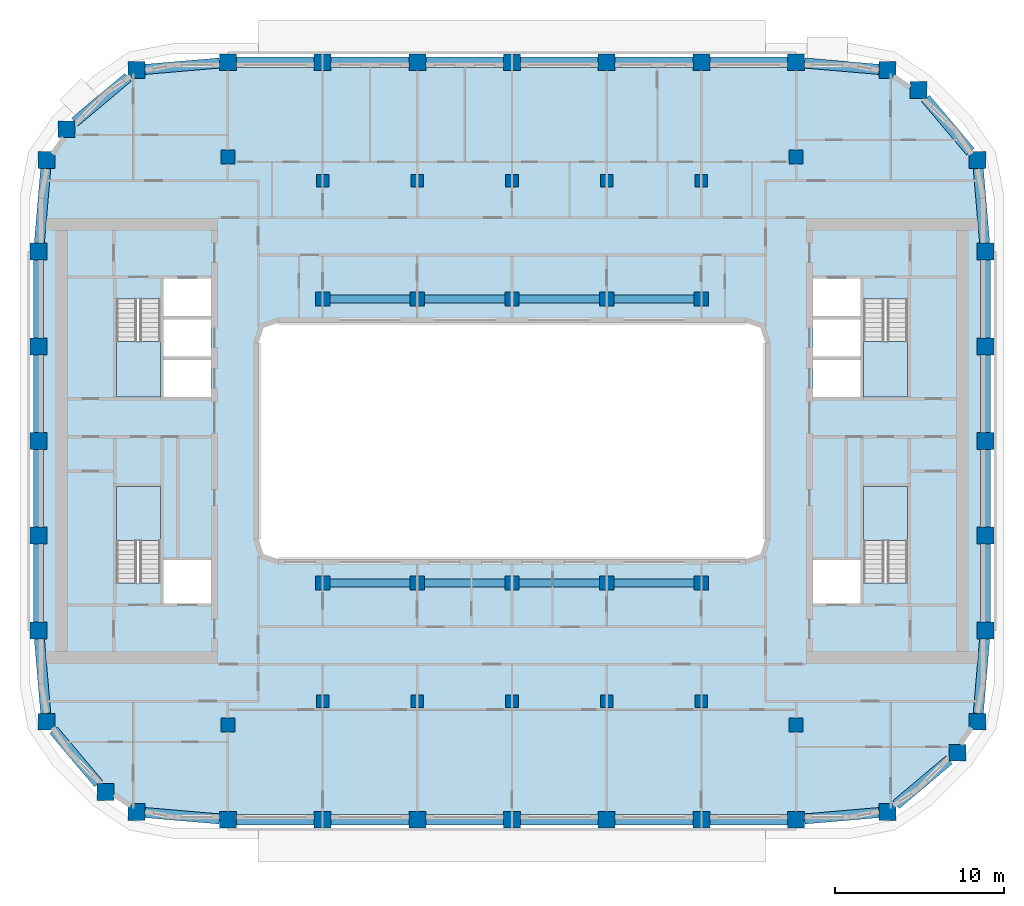
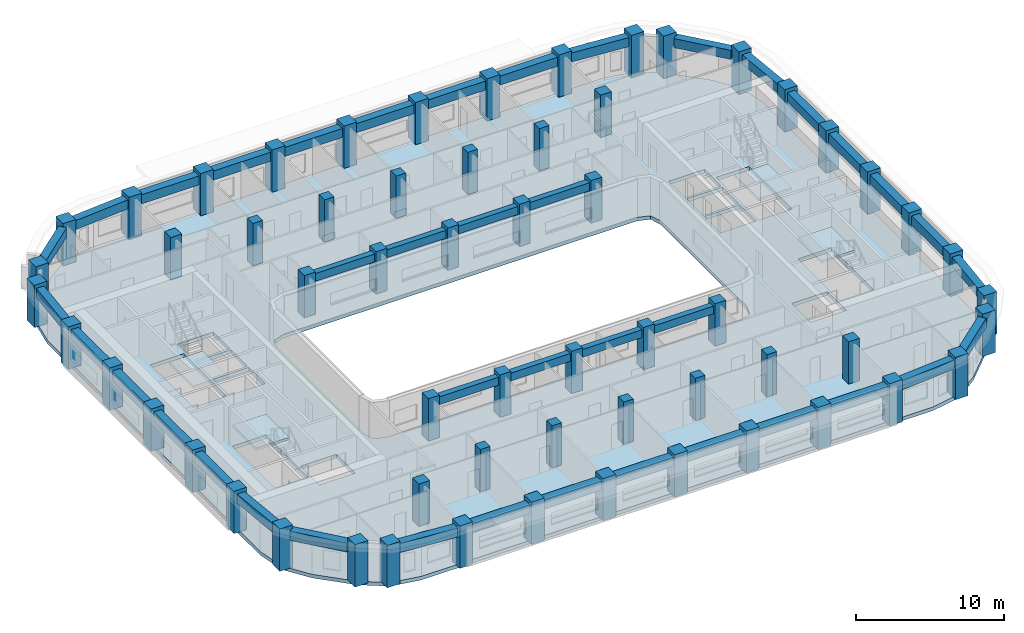
# One storey, part 1 of 22: 60 columns, 40 beams, 5 slabs, 4 elements without a shape of their own.
"""IFC4 building model written with IfcOpenShell, lengths in metres."""

from ifc_helpers import new_model, si_unit, direction, frame, origin, origin_2d, place, context, subcontext, project, spatial, polyline, rectangle, outline, extrude, material, layer, layer_set, material_profile, profile_set, type_object, element, aggregate, save


model = new_model("IFC4")

# Units and contexts
model_context = context("Model", 3, precision=1e-05, world=origin(), true_north=direction((0.0, 1.0)))
body_context = subcontext(model_context, "Body", "Model", "MODEL_VIEW")
ifc_project = project(units=[si_unit("LENGTHUNIT", "METRE"), si_unit("AREAUNIT", "SQUARE_METRE"), si_unit("VOLUMEUNIT", "CUBIC_METRE"), si_unit("PLANEANGLEUNIT", "RADIAN"), si_unit("MASSUNIT", "GRAM", prefix="KILO")], contexts=[model_context])

# Site, building, storey
site_placement = place(None, origin())
site = spatial("IfcSite", under=ifc_project, at=site_placement, CompositionType="ELEMENT")
building_placement = place(site_placement, origin())
building = spatial("IfcBuilding", under=site, at=building_placement, Name="Kiln Ring Residences", CompositionType="ELEMENT")
storey_placement = place(building_placement, frame((0.0, 0.0, 167.60009765625)))
storey = spatial("IfcBuildingStorey", under=building, at=storey_placement, Name="L43", CompositionType="ELEMENT", Elevation=167.60009765625)

# Columns
ifc_material_1 = material(Name="Concrete C70/85", Category="concrete")
ifc_material_profile_1 = material_profile(ifc_material_1, rectangle(XDim=0.75, YDim=0.75, at=origin_2d()), Name="RC750x750")
ifc_profile_set_1 = profile_set([ifc_material_profile_1], Name="Concrete C70/85")
column_type_1 = type_object("IfcColumnType", Name="Corridor column RC750x750 C70/85", PredefinedType="COLUMN", material=ifc_profile_set_1)
for number, where, z_axis, x_axis, name in (
    (1, (-11.199951171875, 15.39990234375, 0.0), (0.0, 0.0, 1.0), (1.0, 0.0, 0.0), "Corridor column L43 1"),
    (2, (-5.60009765625, 15.39990234375, 0.0), (0.0, 0.0, 1.0), (1.0, 0.0, 0.0), "Corridor column L43 2"),
    (3, (0.0, 15.39990234375, 0.0), (0.0, 0.0, 1.0), (1.0, 0.0, 0.0), "Corridor column L43 3"),
    (4, (5.60009765625, 15.39990234375, 0.0), (0.0, 0.0, 1.0), (1.0, 0.0, 0.0), "Corridor column L43 4"),
    (5, (11.199951171875, 15.39990234375, 0.0), (0.0, 0.0, 1.0), (1.0, 0.0, 0.0), "Corridor column L43 5"),
    (6, (-11.199951171875, -15.39990234375, 0.0), (0.0, 0.0, 1.0), (1.0, 0.0, 0.0), "Corridor column L43 6"),
    (7, (-5.60009765625, -15.39990234375, 0.0), (0.0, 0.0, 1.0), (1.0, 0.0, 0.0), "Corridor column L43 7"),
    (8, (0.0, -15.39990234375, 0.0), (0.0, 0.0, 1.0), (1.0, 0.0, 0.0), "Corridor column L43 8"),
    (9, (5.60009765625, -15.39990234375, 0.0), (0.0, 0.0, 1.0), (1.0, 0.0, 0.0), "Corridor column L43 9"),
    (10, (11.199951171875, -15.39990234375, 0.0), (0.0, 0.0, 1.0), (1.0, 0.0, 0.0), "Corridor column L43 10"),
):
    element("IfcColumn", number, at=place(storey_placement, frame(where, z_axis=z_axis, x_axis=x_axis)), inside=storey, type_object=column_type_1, Name=name, PredefinedType="COLUMN", context=body_context, shape_type="SweptSolid", body=[
        extrude(rectangle(XDim=0.75, YDim=0.75, at=origin_2d()), origin(), (0.0, 0.0, 1.0), 3.5),
    ])
ifc_material_2 = material(Name="Concrete C70/85", Category="concrete")
ifc_material_profile_2 = material_profile(ifc_material_2, rectangle(XDim=1.0, YDim=1.0, at=origin_2d()), Name="RC1000x1000")
ifc_profile_set_2 = profile_set([ifc_material_profile_2], Name="Concrete C70/85")
column_type_2 = type_object("IfcColumnType", Name="Perimeter column RC1000x1000 C70/85", PredefinedType="COLUMN", material=ifc_profile_set_2)
for number, where, z_axis, x_axis, name in (
    (11, (-22.208740234375, -21.93798828125, 0.0), (0.0, 0.0, 1.0), (1.0, 0.0, 0.0), "Perimeter column L43 1"),
    (12, (-16.800048828125, -22.39990234375, 0.0), (0.0, 0.0, 1.0), (1.0, 0.0, 0.0), "Perimeter column L43 2"),
    (13, (-11.199951171875, -22.39990234375, 0.0), (0.0, 0.0, 1.0), (1.0, 0.0, 0.0), "Perimeter column L43 3"),
    (14, (-5.60009765625, -22.39990234375, 0.0), (0.0, 0.0, 1.0), (1.0, 0.0, 0.0), "Perimeter column L43 4"),
    (15, (0.0, -22.39990234375, 0.0), (0.0, 0.0, 1.0), (1.0, 0.0, 0.0), "Perimeter column L43 5"),
    (16, (5.60009765625, -22.39990234375, 0.0), (0.0, 0.0, 1.0), (1.0, 0.0, 0.0), "Perimeter column L43 6"),
    (17, (11.199951171875, -22.39990234375, 0.0), (0.0, 0.0, 1.0), (1.0, 0.0, 0.0), "Perimeter column L43 7"),
    (18, (16.800048828125, -22.39990234375, 0.0), (0.0, 0.0, 1.0), (1.0, 0.0, 0.0), "Perimeter column L43 8"),
    (19, (22.208740234375, -21.93798828125, 0.0), (0.0, 0.0, 1.0), (1.0, 0.0, 0.0), "Perimeter column L43 9"),
    (20, (26.35986328125, -18.440185546875, 0.0), (0.0, 0.0, 1.0), (1.0, 0.0, 0.0), "Perimeter column L43 10"),
    (21, (27.5380859375, -16.608642578125, 0.0), (0.0, 0.0, 1.0), (1.0, 0.0, 0.0), "Perimeter column L43 11"),
    (22, (28.0, -11.199951171875, 0.0), (0.0, 0.0, 1.0), (1.0, 0.0, 0.0), "Perimeter column L43 12"),
    (23, (28.0, -5.60009765625, 0.0), (0.0, 0.0, 1.0), (1.0, 0.0, 0.0), "Perimeter column L43 13"),
    (24, (28.0, 0.0, 0.0), (0.0, 0.0, 1.0), (1.0, 0.0, 0.0), "Perimeter column L43 14"),
    (25, (28.0, 5.60009765625, 0.0), (0.0, 0.0, 1.0), (1.0, 0.0, 0.0), "Perimeter column L43 15"),
    (26, (28.0, 11.199951171875, 0.0), (0.0, 0.0, 1.0), (1.0, 0.0, 0.0), "Perimeter column L43 16"),
    (27, (27.5380859375, 16.608642578125, 0.0), (0.0, 0.0, 1.0), (1.0, 0.0, 0.0), "Perimeter column L43 17"),
    (28, (24.040283203125, 20.759765625, 0.0), (0.0, 0.0, 1.0), (1.0, 0.0, 0.0), "Perimeter column L43 18"),
    (29, (22.208740234375, 21.93798828125, 0.0), (0.0, 0.0, 1.0), (1.0, 0.0, 0.0), "Perimeter column L43 19"),
    (30, (16.800048828125, 22.39990234375, 0.0), (0.0, 0.0, 1.0), (1.0, 0.0, 0.0), "Perimeter column L43 20"),
    (31, (11.199951171875, 22.39990234375, 0.0), (0.0, 0.0, 1.0), (1.0, 0.0, 0.0), "Perimeter column L43 21"),
    (32, (5.60009765625, 22.39990234375, 0.0), (0.0, 0.0, 1.0), (1.0, 0.0, 0.0), "Perimeter column L43 22"),
    (33, (0.0, 22.39990234375, 0.0), (0.0, 0.0, 1.0), (1.0, 0.0, 0.0), "Perimeter column L43 23"),
    (34, (-5.60009765625, 22.39990234375, 0.0), (0.0, 0.0, 1.0), (1.0, 0.0, 0.0), "Perimeter column L43 24"),
    (35, (-11.199951171875, 22.39990234375, 0.0), (0.0, 0.0, 1.0), (1.0, 0.0, 0.0), "Perimeter column L43 25"),
    (36, (-16.800048828125, 22.39990234375, 0.0), (0.0, 0.0, 1.0), (1.0, 0.0, 0.0), "Perimeter column L43 26"),
    (37, (-22.208740234375, 21.93798828125, 0.0), (0.0, 0.0, 1.0), (1.0, 0.0, 0.0), "Perimeter column L43 27"),
    (38, (-26.35986328125, 18.440185546875, 0.0), (0.0, 0.0, 1.0), (1.0, 0.0, 0.0), "Perimeter column L43 28"),
    (39, (-27.5380859375, 16.608642578125, 0.0), (0.0, 0.0, 1.0), (1.0, 0.0, 0.0), "Perimeter column L43 29"),
    (40, (-28.0, 11.199951171875, 0.0), (0.0, 0.0, 1.0), (1.0, 0.0, 0.0), "Perimeter column L43 30"),
    (41, (-28.0, 5.60009765625, 0.0), (0.0, 0.0, 1.0), (1.0, 0.0, 0.0), "Perimeter column L43 31"),
    (42, (-28.0, 0.0, 0.0), (0.0, 0.0, 1.0), (1.0, 0.0, 0.0), "Perimeter column L43 32"),
    (43, (-28.0, -5.60009765625, 0.0), (0.0, 0.0, 1.0), (1.0, 0.0, 0.0), "Perimeter column L43 33"),
    (44, (-28.0, -11.199951171875, 0.0), (0.0, 0.0, 1.0), (1.0, 0.0, 0.0), "Perimeter column L43 34"),
    (45, (-27.5380859375, -16.608642578125, 0.0), (0.0, 0.0, 1.0), (1.0, 0.0, 0.0), "Perimeter column L43 35"),
    (46, (-24.040283203125, -20.759765625, 0.0), (0.0, 0.0, 1.0), (1.0, 0.0, 0.0), "Perimeter column L43 36"),
):
    element("IfcColumn", number, at=place(storey_placement, frame(where, z_axis=z_axis, x_axis=x_axis)), inside=storey, type_object=column_type_2, Name=name, PredefinedType="COLUMN", context=body_context, shape_type="SweptSolid", body=[
        extrude(rectangle(XDim=1.0, YDim=1.0, at=origin_2d()), origin(), (0.0, 0.0, 1.0), 3.5),
    ])
ifc_material_3 = material(Name="Concrete C70/85", Category="concrete")
ifc_material_profile_3 = material_profile(ifc_material_3, rectangle(XDim=0.85009765625, YDim=0.85009765625, at=origin_2d()), Name="RC850x850")
ifc_profile_set_3 = profile_set([ifc_material_profile_3], Name="Concrete C70/85")
column_type_3 = type_object("IfcColumnType", Name="Ring column RC850x850 C70/85", PredefinedType="COLUMN", material=ifc_profile_set_3)
for number, where, z_axis, x_axis, name in (
    (47, (-16.800048828125, -16.800048828125, 0.0), (0.0, 0.0, 1.0), (1.0, 0.0, 0.0), "Ring column L43 1"),
    (48, (-16.800048828125, 16.800048828125, 0.0), (0.0, 0.0, 1.0), (1.0, 0.0, 0.0), "Ring column L43 2"),
    (49, (-11.199951171875, -8.39990234375, 0.0), (0.0, 0.0, 1.0), (1.0, 0.0, 0.0), "Ring column L43 3"),
    (50, (-11.199951171875, 8.39990234375, 0.0), (0.0, 0.0, 1.0), (1.0, 0.0, 0.0), "Ring column L43 4"),
    (51, (-5.60009765625, -8.39990234375, 0.0), (0.0, 0.0, 1.0), (1.0, 0.0, 0.0), "Ring column L43 5"),
    (52, (-5.60009765625, 8.39990234375, 0.0), (0.0, 0.0, 1.0), (1.0, 0.0, 0.0), "Ring column L43 6"),
    (53, (0.0, -8.39990234375, 0.0), (0.0, 0.0, 1.0), (1.0, 0.0, 0.0), "Ring column L43 7"),
    (54, (0.0, 8.39990234375, 0.0), (0.0, 0.0, 1.0), (1.0, 0.0, 0.0), "Ring column L43 8"),
    (55, (5.60009765625, -8.39990234375, 0.0), (0.0, 0.0, 1.0), (1.0, 0.0, 0.0), "Ring column L43 9"),
    (56, (5.60009765625, 8.39990234375, 0.0), (0.0, 0.0, 1.0), (1.0, 0.0, 0.0), "Ring column L43 10"),
    (57, (11.199951171875, -8.39990234375, 0.0), (0.0, 0.0, 1.0), (1.0, 0.0, 0.0), "Ring column L43 11"),
    (58, (11.199951171875, 8.39990234375, 0.0), (0.0, 0.0, 1.0), (1.0, 0.0, 0.0), "Ring column L43 12"),
    (59, (16.800048828125, -16.800048828125, 0.0), (0.0, 0.0, 1.0), (1.0, 0.0, 0.0), "Ring column L43 13"),
    (60, (16.800048828125, 16.800048828125, 0.0), (0.0, 0.0, 1.0), (1.0, 0.0, 0.0), "Ring column L43 14"),
):
    element("IfcColumn", number, at=place(storey_placement, frame(where, z_axis=z_axis, x_axis=x_axis)), inside=storey, type_object=column_type_3, Name=name, PredefinedType="COLUMN", context=body_context, shape_type="SweptSolid", body=[
        extrude(rectangle(XDim=0.85009765625, YDim=0.85009765625, at=origin_2d()), origin(), (0.0, 0.0, 1.0), 3.5),
    ])

# Beams
ifc_material_4 = material(Name="Concrete C50/60", Category="concrete")
ifc_material_profile_4 = material_profile(ifc_material_4, rectangle(XDim=0.449951171875, YDim=0.64990234375, at=origin_2d()), Name="RC450x650")
ifc_profile_set_4 = profile_set([ifc_material_profile_4], Name="Concrete C50/60")
beam_type_1 = type_object("IfcBeamType", Name="Ring beam RC450x650 C50/60", PredefinedType="BEAM", material=ifc_profile_set_4)
for number, where, z_axis, x_axis, name in (
    (61, (-10.77490234375, -8.39990234375, 2.875), (1.0, 0.0, 0.0), (0.0, 1.0, 0.0), "Ring beam L43 1"),
    (62, (-5.175048828125, -8.39990234375, 2.875), (1.0, 0.0, 0.0), (0.0, 1.0, 0.0), "Ring beam L43 2"),
    (63, (0.425048828125, -8.39990234375, 2.875), (1.0, 0.0, 0.0), (0.0, 1.0, 0.0), "Ring beam L43 3"),
    (64, (6.02490234375, -8.39990234375, 2.875), (1.0, 0.0, 0.0), (0.0, 1.0, 0.0), "Ring beam L43 4"),
    (65, (-10.77490234375, 8.39990234375, 2.875), (1.0, 0.0, 0.0), (0.0, 1.0, 0.0), "Ring beam L43 5"),
    (66, (-5.175048828125, 8.39990234375, 2.875), (1.0, 0.0, 0.0), (0.0, 1.0, 0.0), "Ring beam L43 6"),
    (67, (0.425048828125, 8.39990234375, 2.875), (1.0, 0.0, 0.0), (0.0, 1.0, 0.0), "Ring beam L43 7"),
    (68, (6.02490234375, 8.39990234375, 2.875), (1.0, 0.0, 0.0), (0.0, 1.0, 0.0), "Ring beam L43 8"),
):
    element("IfcBeam", number, at=place(storey_placement, frame(where, z_axis=z_axis, x_axis=x_axis)), inside=storey, type_object=beam_type_1, Name=name, PredefinedType="BEAM", context=body_context, shape_type="SweptSolid", body=[
        extrude(rectangle(XDim=0.449951171875, YDim=0.64990234375, at=origin_2d()), origin(), (0.0, 0.0, 1.0), 4.75),
    ])
ifc_material_5 = material(Name="Concrete C50/60", Category="concrete")
ifc_material_profile_5 = material_profile(ifc_material_5, rectangle(XDim=0.60009765625, YDim=0.75, at=origin_2d()), Name="RC600x750")
ifc_profile_set_5 = profile_set([ifc_material_profile_5], Name="Concrete C50/60")
beam_type_2 = type_object("IfcBeamType", Name="Spandrel beam RC600x750 C50/60", PredefinedType="SPANDREL", material=ifc_profile_set_5)
beam_1_placement = place(storey_placement, frame((-21.708740234375, -21.980712890625, 2.824951171875), z_axis=(0.996369283519, -0.0851366599, 0.0), x_axis=(0.0851366599, 0.996369283519, 0.0)))
element("IfcBeam", 69, at=beam_1_placement, inside=storey, type_object=beam_type_2, Name="Spandrel beam L43 1", PredefinedType="SPANDREL", context=body_context, shape_type="SweptSolid", body=[
    extrude(rectangle(XDim=0.60009765625, YDim=0.75, at=origin_2d()), origin(), (0.0, 0.0, 1.0), 4.4248046875),
])
beam_2_placement = place(storey_placement, frame((-16.300048828125, -22.39990234375, 2.824951171875), z_axis=(1.0, 0.0, 0.0), x_axis=(0.0, 1.0, 0.0)))
element("IfcBeam", 70, at=beam_2_placement, inside=storey, type_object=beam_type_2, Name="Spandrel beam L43 2", PredefinedType="SPANDREL", context=body_context, shape_type="SweptSolid", body=[
    extrude(rectangle(XDim=0.60009765625, YDim=0.75, at=origin_2d()), origin(), (0.0, 0.0, 1.0), 4.60009765625),
])
beam_3_placement = place(storey_placement, frame((-10.699951171875, -22.39990234375, 2.824951171875), z_axis=(1.0, 0.0, 0.0), x_axis=(0.0, 1.0, 0.0)))
element("IfcBeam", 71, at=beam_3_placement, inside=storey, type_object=beam_type_2, Name="Spandrel beam L43 3", PredefinedType="SPANDREL", context=body_context, shape_type="SweptSolid", body=[
    extrude(rectangle(XDim=0.60009765625, YDim=0.75, at=origin_2d()), origin(), (0.0, 0.0, 1.0), 4.599853515625),
])
for number, where, z_axis, x_axis, name in (
    (72, (-5.10009765625, -22.39990234375, 2.824951171875), (1.0, 0.0, 0.0), (0.0, 1.0, 0.0), "Spandrel beam L43 4"),
    (73, (0.5, -22.39990234375, 2.824951171875), (1.0, 0.0, 0.0), (0.0, 1.0, 0.0), "Spandrel beam L43 5"),
):
    element("IfcBeam", number, at=place(storey_placement, frame(where, z_axis=z_axis, x_axis=x_axis)), inside=storey, type_object=beam_type_2, Name=name, PredefinedType="SPANDREL", context=body_context, shape_type="SweptSolid", body=[
        extrude(rectangle(XDim=0.60009765625, YDim=0.75, at=origin_2d()), origin(), (0.0, 0.0, 1.0), 4.60009765625),
    ])
beam_4_placement = place(storey_placement, frame((6.10009765625, -22.39990234375, 2.824951171875), z_axis=(1.0, 0.0, 0.0), x_axis=(0.0, 1.0, 0.0)))
element("IfcBeam", 74, at=beam_4_placement, inside=storey, type_object=beam_type_2, Name="Spandrel beam L43 6", PredefinedType="SPANDREL", context=body_context, shape_type="SweptSolid", body=[
    extrude(rectangle(XDim=0.60009765625, YDim=0.75, at=origin_2d()), origin(), (0.0, 0.0, 1.0), 4.599853515625),
])
beam_5_placement = place(storey_placement, frame((11.699951171875, -22.39990234375, 2.824951171875), z_axis=(1.0, 0.0, 0.0), x_axis=(0.0, 1.0, 0.0)))
element("IfcBeam", 75, at=beam_5_placement, inside=storey, type_object=beam_type_2, Name="Spandrel beam L43 7", PredefinedType="SPANDREL", context=body_context, shape_type="SweptSolid", body=[
    extrude(rectangle(XDim=0.60009765625, YDim=0.75, at=origin_2d()), origin(), (0.0, 0.0, 1.0), 4.60009765625),
])
beam_6_placement = place(storey_placement, frame((17.300048828125, -22.357421875, 2.824951171875), z_axis=(0.996369283519, 0.0851366599, 0.0), x_axis=(-0.0851366599, 0.996369283519, 0.0)))
element("IfcBeam", 76, at=beam_6_placement, inside=storey, type_object=beam_type_2, Name="Spandrel beam L43 8", PredefinedType="SPANDREL", context=body_context, shape_type="SweptSolid", body=[
    extrude(rectangle(XDim=0.60009765625, YDim=0.75, at=origin_2d()), origin(), (0.0, 0.0, 1.0), 4.4248046875),
])
beam_7_placement = place(storey_placement, frame((22.708740234375, -21.516845703125, 2.824951171875), z_axis=(0.764708354916, 0.644376545136, 0.0), x_axis=(-0.644376545136, 0.764708354916, 0.0)))
element("IfcBeam", 77, at=beam_7_placement, inside=storey, type_object=beam_type_2, Name="Spandrel beam L43 9", PredefinedType="SPANDREL", context=body_context, shape_type="SweptSolid", body=[
    extrude(rectangle(XDim=0.60009765625, YDim=0.75, at=origin_2d()), origin(), (0.0, 0.0, 1.0), 4.12060546875),
])
beam_8_placement = place(storey_placement, frame((27.580810546875, -16.108642578125, 2.824951171875), z_axis=(0.085081883384, 0.996373962486, 0.0), x_axis=(-0.996373962486, 0.085081883384, 0.0)))
element("IfcBeam", 78, at=beam_8_placement, inside=storey, type_object=beam_type_2, Name="Spandrel beam L43 10", PredefinedType="SPANDREL", context=body_context, shape_type="SweptSolid", body=[
    extrude(rectangle(XDim=0.60009765625, YDim=0.75, at=origin_2d()), origin(), (0.0, 0.0, 1.0), 4.4248046875),
])
beam_9_placement = place(storey_placement, frame((28.0, -10.699951171875, 2.824951171875), z_axis=(0.0, 1.0, 0.0), x_axis=(-1.0, 0.0, 0.0)))
element("IfcBeam", 79, at=beam_9_placement, inside=storey, type_object=beam_type_2, Name="Spandrel beam L43 11", PredefinedType="SPANDREL", context=body_context, shape_type="SweptSolid", body=[
    extrude(rectangle(XDim=0.60009765625, YDim=0.75, at=origin_2d()), origin(), (0.0, 0.0, 1.0), 4.599853515625),
])
for number, where, z_axis, x_axis, name in (
    (80, (28.0, -5.10009765625, 2.824951171875), (0.0, 1.0, 0.0), (-1.0, 0.0, 0.0), "Spandrel beam L43 12"),
    (81, (28.0, 0.5, 2.824951171875), (0.0, 1.0, 0.0), (-1.0, 0.0, 0.0), "Spandrel beam L43 13"),
):
    element("IfcBeam", number, at=place(storey_placement, frame(where, z_axis=z_axis, x_axis=x_axis)), inside=storey, type_object=beam_type_2, Name=name, PredefinedType="SPANDREL", context=body_context, shape_type="SweptSolid", body=[
        extrude(rectangle(XDim=0.60009765625, YDim=0.75, at=origin_2d()), origin(), (0.0, 0.0, 1.0), 4.60009765625),
    ])
beam_10_placement = place(storey_placement, frame((28.0, 6.10009765625, 2.824951171875), z_axis=(0.0, 1.0, 0.0), x_axis=(-1.0, 0.0, 0.0)))
element("IfcBeam", 82, at=beam_10_placement, inside=storey, type_object=beam_type_2, Name="Spandrel beam L43 14", PredefinedType="SPANDREL", context=body_context, shape_type="SweptSolid", body=[
    extrude(rectangle(XDim=0.60009765625, YDim=0.75, at=origin_2d()), origin(), (0.0, 0.0, 1.0), 4.599853515625),
])
beam_11_placement = place(storey_placement, frame((27.957275390625, 11.699951171875, 2.824951171875), z_axis=(-0.085081883384, 0.996373962486, 0.0), x_axis=(-0.996373962486, -0.085081883384, 0.0)))
element("IfcBeam", 83, at=beam_11_placement, inside=storey, type_object=beam_type_2, Name="Spandrel beam L43 15", PredefinedType="SPANDREL", context=body_context, shape_type="SweptSolid", body=[
    extrude(rectangle(XDim=0.60009765625, YDim=0.75, at=origin_2d()), origin(), (0.0, 0.0, 1.0), 4.4248046875),
])
beam_12_placement = place(storey_placement, frame((27.11669921875, 17.108642578125, 2.824951171875), z_axis=(-0.644376545136, 0.764708354916, 0.0), x_axis=(-0.764708354916, -0.644376545136, 0.0)))
element("IfcBeam", 84, at=beam_12_placement, inside=storey, type_object=beam_type_2, Name="Spandrel beam L43 16", PredefinedType="SPANDREL", context=body_context, shape_type="SweptSolid", body=[
    extrude(rectangle(XDim=0.60009765625, YDim=0.75, at=origin_2d()), origin(), (0.0, 0.0, 1.0), 4.12060546875),
])
beam_13_placement = place(storey_placement, frame((21.708740234375, 21.980712890625, 2.824951171875), z_axis=(-0.996369283519, 0.0851366599, 0.0), x_axis=(-0.0851366599, -0.996369283519, 0.0)))
element("IfcBeam", 85, at=beam_13_placement, inside=storey, type_object=beam_type_2, Name="Spandrel beam L43 17", PredefinedType="SPANDREL", context=body_context, shape_type="SweptSolid", body=[
    extrude(rectangle(XDim=0.60009765625, YDim=0.75, at=origin_2d()), origin(), (0.0, 0.0, 1.0), 4.4248046875),
])
beam_14_placement = place(storey_placement, frame((16.300048828125, 22.39990234375, 2.824951171875), z_axis=(-1.0, 0.0, 0.0), x_axis=(0.0, -1.0, 0.0)))
element("IfcBeam", 86, at=beam_14_placement, inside=storey, type_object=beam_type_2, Name="Spandrel beam L43 18", PredefinedType="SPANDREL", context=body_context, shape_type="SweptSolid", body=[
    extrude(rectangle(XDim=0.60009765625, YDim=0.75, at=origin_2d()), origin(), (0.0, 0.0, 1.0), 4.60009765625),
])
beam_15_placement = place(storey_placement, frame((10.699951171875, 22.39990234375, 2.824951171875), z_axis=(-1.0, 0.0, 0.0), x_axis=(0.0, -1.0, 0.0)))
element("IfcBeam", 87, at=beam_15_placement, inside=storey, type_object=beam_type_2, Name="Spandrel beam L43 19", PredefinedType="SPANDREL", context=body_context, shape_type="SweptSolid", body=[
    extrude(rectangle(XDim=0.60009765625, YDim=0.75, at=origin_2d()), origin(), (0.0, 0.0, 1.0), 4.599853515625),
])
for number, where, z_axis, x_axis, name in (
    (88, (5.10009765625, 22.39990234375, 2.824951171875), (-1.0, 0.0, 0.0), (0.0, -1.0, 0.0), "Spandrel beam L43 20"),
    (89, (-0.5, 22.39990234375, 2.824951171875), (-1.0, 0.0, 0.0), (0.0, -1.0, 0.0), "Spandrel beam L43 21"),
):
    element("IfcBeam", number, at=place(storey_placement, frame(where, z_axis=z_axis, x_axis=x_axis)), inside=storey, type_object=beam_type_2, Name=name, PredefinedType="SPANDREL", context=body_context, shape_type="SweptSolid", body=[
        extrude(rectangle(XDim=0.60009765625, YDim=0.75, at=origin_2d()), origin(), (0.0, 0.0, 1.0), 4.60009765625),
    ])
beam_16_placement = place(storey_placement, frame((-6.10009765625, 22.39990234375, 2.824951171875), z_axis=(-1.0, 0.0, 0.0), x_axis=(0.0, -1.0, 0.0)))
element("IfcBeam", 90, at=beam_16_placement, inside=storey, type_object=beam_type_2, Name="Spandrel beam L43 22", PredefinedType="SPANDREL", context=body_context, shape_type="SweptSolid", body=[
    extrude(rectangle(XDim=0.60009765625, YDim=0.75, at=origin_2d()), origin(), (0.0, 0.0, 1.0), 4.599853515625),
])
beam_17_placement = place(storey_placement, frame((-11.699951171875, 22.39990234375, 2.824951171875), z_axis=(-1.0, 0.0, 0.0), x_axis=(0.0, -1.0, 0.0)))
element("IfcBeam", 91, at=beam_17_placement, inside=storey, type_object=beam_type_2, Name="Spandrel beam L43 23", PredefinedType="SPANDREL", context=body_context, shape_type="SweptSolid", body=[
    extrude(rectangle(XDim=0.60009765625, YDim=0.75, at=origin_2d()), origin(), (0.0, 0.0, 1.0), 4.60009765625),
])
beam_18_placement = place(storey_placement, frame((-17.300048828125, 22.357421875, 2.824951171875), z_axis=(-0.996369283519, -0.0851366599, 0.0), x_axis=(0.0851366599, -0.996369283519, 0.0)))
element("IfcBeam", 92, at=beam_18_placement, inside=storey, type_object=beam_type_2, Name="Spandrel beam L43 24", PredefinedType="SPANDREL", context=body_context, shape_type="SweptSolid", body=[
    extrude(rectangle(XDim=0.60009765625, YDim=0.75, at=origin_2d()), origin(), (0.0, 0.0, 1.0), 4.4248046875),
])
beam_19_placement = place(storey_placement, frame((-22.708740234375, 21.516845703125, 2.824951171875), z_axis=(-0.764708354916, -0.644376545136, 0.0), x_axis=(0.644376545136, -0.764708354916, 0.0)))
element("IfcBeam", 93, at=beam_19_placement, inside=storey, type_object=beam_type_2, Name="Spandrel beam L43 25", PredefinedType="SPANDREL", context=body_context, shape_type="SweptSolid", body=[
    extrude(rectangle(XDim=0.60009765625, YDim=0.75, at=origin_2d()), origin(), (0.0, 0.0, 1.0), 4.12060546875),
])
beam_20_placement = place(storey_placement, frame((-27.580810546875, 16.108642578125, 2.824951171875), z_axis=(-0.085081883384, -0.996373962486, 0.0), x_axis=(0.996373962486, -0.085081883384, 0.0)))
element("IfcBeam", 94, at=beam_20_placement, inside=storey, type_object=beam_type_2, Name="Spandrel beam L43 26", PredefinedType="SPANDREL", context=body_context, shape_type="SweptSolid", body=[
    extrude(rectangle(XDim=0.60009765625, YDim=0.75, at=origin_2d()), origin(), (0.0, 0.0, 1.0), 4.4248046875),
])
beam_21_placement = place(storey_placement, frame((-28.0, 10.699951171875, 2.824951171875), z_axis=(0.0, -1.0, 0.0), x_axis=(1.0, 0.0, 0.0)))
element("IfcBeam", 95, at=beam_21_placement, inside=storey, type_object=beam_type_2, Name="Spandrel beam L43 27", PredefinedType="SPANDREL", context=body_context, shape_type="SweptSolid", body=[
    extrude(rectangle(XDim=0.60009765625, YDim=0.75, at=origin_2d()), origin(), (0.0, 0.0, 1.0), 4.599853515625),
])
for number, where, z_axis, x_axis, name in (
    (96, (-28.0, 5.10009765625, 2.824951171875), (0.0, -1.0, 0.0), (1.0, 0.0, 0.0), "Spandrel beam L43 28"),
    (97, (-28.0, -0.5, 2.824951171875), (0.0, -1.0, 0.0), (1.0, 0.0, 0.0), "Spandrel beam L43 29"),
):
    element("IfcBeam", number, at=place(storey_placement, frame(where, z_axis=z_axis, x_axis=x_axis)), inside=storey, type_object=beam_type_2, Name=name, PredefinedType="SPANDREL", context=body_context, shape_type="SweptSolid", body=[
        extrude(rectangle(XDim=0.60009765625, YDim=0.75, at=origin_2d()), origin(), (0.0, 0.0, 1.0), 4.60009765625),
    ])
beam_22_placement = place(storey_placement, frame((-28.0, -6.10009765625, 2.824951171875), z_axis=(0.0, -1.0, 0.0), x_axis=(1.0, 0.0, 0.0)))
element("IfcBeam", 98, at=beam_22_placement, inside=storey, type_object=beam_type_2, Name="Spandrel beam L43 30", PredefinedType="SPANDREL", context=body_context, shape_type="SweptSolid", body=[
    extrude(rectangle(XDim=0.60009765625, YDim=0.75, at=origin_2d()), origin(), (0.0, 0.0, 1.0), 4.599853515625),
])
beam_23_placement = place(storey_placement, frame((-27.957275390625, -11.699951171875, 2.824951171875), z_axis=(0.085081883384, -0.996373962486, 0.0), x_axis=(0.996373962486, 0.085081883384, 0.0)))
element("IfcBeam", 99, at=beam_23_placement, inside=storey, type_object=beam_type_2, Name="Spandrel beam L43 31", PredefinedType="SPANDREL", context=body_context, shape_type="SweptSolid", body=[
    extrude(rectangle(XDim=0.60009765625, YDim=0.75, at=origin_2d()), origin(), (0.0, 0.0, 1.0), 4.4248046875),
])
beam_24_placement = place(storey_placement, frame((-27.11669921875, -17.108642578125, 2.824951171875), z_axis=(0.644376545136, -0.764708354916, 0.0), x_axis=(0.764708354916, 0.644376545136, 0.0)))
element("IfcBeam", 100, at=beam_24_placement, inside=storey, type_object=beam_type_2, Name="Spandrel beam L43 32", PredefinedType="SPANDREL", context=body_context, shape_type="SweptSolid", body=[
    extrude(rectangle(XDim=0.60009765625, YDim=0.75, at=origin_2d()), origin(), (0.0, 0.0, 1.0), 4.12060546875),
])

# Stair, slab
ifc_material_6 = material(Name="Concrete C40/50", Category="concrete")
stair_type = type_object("IfcStairType", Name="CORE-STAIR", PredefinedType="HALF_TURN_STAIR", material=ifc_material_6)
placement_1 = place(storey_placement, origin())
stair_1 = element("IfcStair", 101, at=placement_1, inside=storey, type_object=stair_type, Name="L43 stair W-STN", PredefinedType="HALF_TURN_STAIR")
ifc_material_7 = material(Name="Concrete C40/50", Category="concrete")
ifc_layer_1 = layer(ifc_material_7, 0.199951171875)
ifc_layer_set_1 = layer_set([ifc_layer_1], Name="CORE-STAIR-LANDING")
slab_type_1 = type_object("IfcSlabType", Name="CORE-STAIR-LANDING", PredefinedType="LANDING", material=ifc_layer_set_1)
placement_2 = place(storey_placement, frame((0.0, 0.0, 1.5498046875)))
slab_1 = element("IfcSlab", 102, at=placement_2, type_object=slab_type_1, Name="W-STN landing 1", PredefinedType="LANDING", context=body_context, shape_type="SweptSolid", body=[
    extrude(outline(polyline([(-23.39990234375, 5.8798828125), (-23.39990234375, 2.60009765625), (-20.800048828125, 2.60009765625), (-20.800048828125, 5.8798828125), (-23.39990234375, 5.8798828125)])), origin(), (0.0, 0.0, 1.0), 0.2001953125),
])
aggregate(stair_1, [slab_1])

stair_2 = element("IfcStair", 103, at=placement_1, inside=storey, type_object=stair_type, Name="L43 stair W-STS", PredefinedType="HALF_TURN_STAIR")
slab_2 = element("IfcSlab", 104, at=placement_2, type_object=slab_type_1, Name="W-STS landing 1", PredefinedType="LANDING", context=body_context, shape_type="SweptSolid", body=[
    extrude(outline(polyline([(-20.800048828125, -5.8798828125), (-20.800048828125, -2.699951171875), (-23.39990234375, -2.699951171875), (-23.39990234375, -5.8798828125), (-20.800048828125, -5.8798828125)])), origin(), (0.0, 0.0, 1.0), 0.2001953125),
])
aggregate(stair_2, [slab_2])

stair_3 = element("IfcStair", 105, at=placement_1, inside=storey, type_object=stair_type, Name="L43 stair E-STN", PredefinedType="HALF_TURN_STAIR")
slab_3 = element("IfcSlab", 106, at=placement_2, type_object=slab_type_1, Name="E-STN landing 1", PredefinedType="LANDING", context=body_context, shape_type="SweptSolid", body=[
    extrude(outline(polyline([(20.800048828125, 5.8798828125), (20.800048828125, 2.60009765625), (23.39990234375, 2.60009765625), (23.39990234375, 5.8798828125), (20.800048828125, 5.8798828125)])), origin(), (0.0, 0.0, 1.0), 0.2001953125),
])
aggregate(stair_3, [slab_3])

stair_4 = element("IfcStair", 107, at=placement_1, inside=storey, type_object=stair_type, Name="L43 stair E-STS", PredefinedType="HALF_TURN_STAIR")
slab_4 = element("IfcSlab", 108, at=placement_2, type_object=slab_type_1, Name="E-STS landing 1", PredefinedType="LANDING", context=body_context, shape_type="SweptSolid", body=[
    extrude(outline(polyline([(23.39990234375, -5.8798828125), (23.39990234375, -2.699951171875), (20.800048828125, -2.699951171875), (20.800048828125, -5.8798828125), (23.39990234375, -5.8798828125)])), origin(), (0.0, 0.0, 1.0), 0.2001953125),
])
aggregate(stair_4, [slab_4])

# Slab
ifc_material_8 = material(Name="Concrete C40/50", Category="concrete")
ifc_layer_2 = layer(ifc_material_8, 0.300048828125)
ifc_layer_set_2 = layer_set([ifc_layer_2], Name="Floor slab 300")
slab_type_2 = type_object("IfcSlabType", Name="Floor slab 300", PredefinedType="FLOOR", material=ifc_layer_set_2)
slab_5_placement = place(storey_placement, frame((0.0, 0.0, -0.300048828125)))
element("IfcSlab", 109, at=slab_5_placement, inside=storey, type_object=slab_type_2, Name="Floor slab L43 1", PredefinedType="FLOOR", context=body_context, shape_type="SweptSolid", body=[
    extrude(outline(polyline([(-26.302978515625, -18.4970703125), (-24.09716796875, -20.702880859375), (-22.224365234375, -21.975830078125), (-20.0, -22.39990234375), (20.0, -22.39990234375), (22.224365234375, -21.975830078125), (24.09716796875, -20.702880859375), (26.302978515625, -18.4970703125), (27.57568359375, -16.624267578125), (28.0, -14.39990234375), (28.0, 14.39990234375), (27.57568359375, 16.624267578125), (26.302978515625, 18.4970703125), (24.09716796875, 20.702880859375), (22.224365234375, 21.975830078125), (20.0, 22.39990234375), (-20.0, 22.39990234375), (-22.224365234375, 21.975830078125), (-24.09716796875, 20.702880859375), (-26.302978515625, 18.4970703125), (-27.57568359375, 16.624267578125), (-28.0, 14.39990234375), (-28.0, -14.39990234375), (-27.57568359375, -16.624267578125), (-26.302978515625, -18.4970703125)]), holes=[polyline([(-14.699951171875, -6.699951171875), (-15.0, -5.800048828125), (-15.0, 5.800048828125), (-14.699951171875, 6.699951171875), (-13.800048828125, 7.0), (13.800048828125, 7.0), (14.699951171875, 6.699951171875), (15.0, 5.800048828125), (15.0, -5.800048828125), (14.699951171875, -6.699951171875), (13.800048828125, -7.0), (-13.800048828125, -7.0), (-14.699951171875, -6.699951171875)]), polyline([(20.800048828125, -8.39794921875), (20.800048828125, -2.699951171875), (23.39990234375, -2.699951171875), (23.39990234375, -8.39794921875), (20.800048828125, -8.39794921875)]), polyline([(23.39990234375, 2.60009765625), (20.800048828125, 2.60009765625), (20.800048828125, 8.39794921875), (23.39990234375, 8.39794921875), (23.39990234375, 2.60009765625)]), polyline([(17.800048828125, 2.60009765625), (17.800048828125, 4.800048828125), (20.60009765625, 4.800048828125), (20.60009765625, 2.60009765625), (17.800048828125, 2.60009765625)]), polyline([(17.800048828125, 5.0), (17.800048828125, 7.199951171875), (20.60009765625, 7.199951171875), (20.60009765625, 5.0), (17.800048828125, 5.0)]), polyline([(17.800048828125, 7.39990234375), (17.800048828125, 9.60009765625), (20.60009765625, 9.60009765625), (20.60009765625, 7.39990234375), (17.800048828125, 7.39990234375)]), polyline([(20.60009765625, -9.60009765625), (17.800048828125, -9.60009765625), (17.800048828125, -7.050048828125), (20.60009765625, -7.050048828125), (20.60009765625, -9.60009765625)]), polyline([(-17.800048828125, -7.050048828125), (-17.800048828125, -9.60009765625), (-20.60009765625, -9.60009765625), (-20.60009765625, -7.050048828125), (-17.800048828125, -7.050048828125)]), polyline([(-17.800048828125, 2.60009765625), (-20.60009765625, 2.60009765625), (-20.60009765625, 4.800048828125), (-17.800048828125, 4.800048828125), (-17.800048828125, 2.60009765625)]), polyline([(-17.800048828125, 5.0), (-20.60009765625, 5.0), (-20.60009765625, 7.199951171875), (-17.800048828125, 7.199951171875), (-17.800048828125, 5.0)]), polyline([(-17.800048828125, 7.39990234375), (-20.60009765625, 7.39990234375), (-20.60009765625, 9.60009765625), (-17.800048828125, 9.60009765625), (-17.800048828125, 7.39990234375)]), polyline([(-20.800048828125, -8.39794921875), (-23.39990234375, -8.39794921875), (-23.39990234375, -2.699951171875), (-20.800048828125, -2.699951171875), (-20.800048828125, -8.39794921875)]), polyline([(-20.800048828125, 8.39794921875), (-20.800048828125, 2.60009765625), (-23.39990234375, 2.60009765625), (-23.39990234375, 8.39794921875), (-20.800048828125, 8.39794921875)])]), origin(), (0.0, 0.0, 1.0), 0.300048828125),
])

save(model, "model.ifc")
